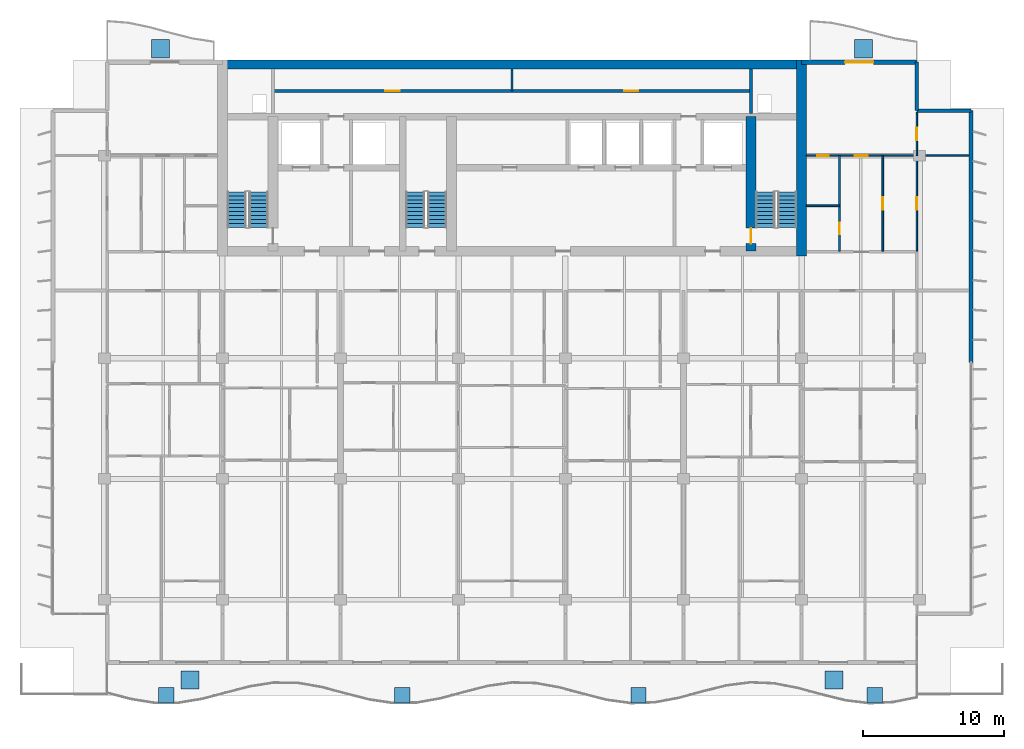
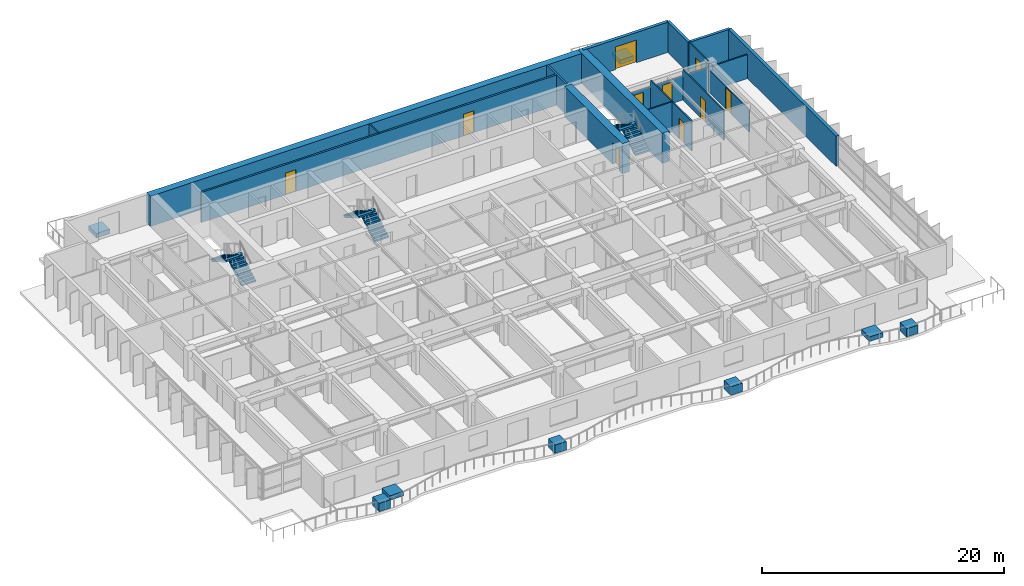
# One storey, part 13 of 17: 16 walls, 10 doors, 8 discrete accessories, 6 stair flights, 10 openings, 3 elements without a shape of their own.
"""IFC4 building model written with IfcOpenShell, lengths in metres."""

from ifc_helpers import new_model, si_unit, direction, frame, frame_2d, origin, origin_2d, place, context, subcontext, project, spatial, polyline, rectangle, outline, extrude, material, layer, layer_set, type_object, element, fill, aggregate, save


model = new_model("IFC4")

# Units and contexts
model_context = context("Model", 3, precision=1e-05, world=origin(), true_north=direction((0.0, 1.0)))
body_context = subcontext(model_context, "Body", "Model", "MODEL_VIEW")
ifc_project = project(units=[si_unit("LENGTHUNIT", "METRE"), si_unit("AREAUNIT", "SQUARE_METRE"), si_unit("VOLUMEUNIT", "CUBIC_METRE"), si_unit("PLANEANGLEUNIT", "RADIAN"), si_unit("MASSUNIT", "GRAM", prefix="KILO")], contexts=[model_context])

# Site, building, storey
site_placement = place(None, origin())
site = spatial("IfcSite", under=ifc_project, at=site_placement, CompositionType="ELEMENT")
building_placement = place(site_placement, origin())
building = spatial("IfcBuilding", under=site, at=building_placement, Name="Caelmar Bay Residences", CompositionType="ELEMENT")
storey_placement = place(building_placement, frame((0.0, 0.0, 157.199951171875)))
storey = spatial("IfcBuildingStorey", under=building, at=storey_placement, Name="L43", CompositionType="ELEMENT", Elevation=157.199951171875)

# Wall
ifc_material_1 = material(Name="Concrete f'c 55 MPa (8,000 psi)", Category="concrete")
ifc_layer_1 = layer(ifc_material_1, 0.699951171875)
ifc_layer_set_1 = layer_set([ifc_layer_1], Name="Concrete f'c 55 MPa (8,000 psi)")
wall_type_1 = type_object("IfcWallType", Name="SW-COR-700", PredefinedType="SHEAR", material=ifc_layer_set_1)
wall_1_placement = place(storey_placement, frame((59.5, 36.64990234375, 0.0), z_axis=(0.0, 0.0, 1.0), x_axis=(0.0, 1.0, 0.0)))
element("IfcWall", 1, at=wall_1_placement, inside=storey, type_object=wall_type_1, Name="L43 Rear Core East Shear Wall", PredefinedType="SHEAR", context=body_context, shape_type="SweptSolid", body=[
    extrude(rectangle(XDim=13.9501953125, YDim=0.699951171875, at=frame_2d((6.97509765625, 0.0))), origin(), (0.0, 0.0, 1.0), 3.050048828125),
])

# Wall, opening, door
wall_2_placement = place(storey_placement, frame((55.89990234375, 37.0, 0.0), z_axis=(0.0, 0.0, 1.0), x_axis=(0.0, 1.0, 0.0)))
wall_2 = element("IfcWall", 2, at=wall_2_placement, inside=storey, type_object=wall_type_1, Name="L43 Core Structural Web Wall ST2W", PredefinedType="SHEAR", context=body_context, shape_type="SweptSolid", body=[
    extrude(rectangle(XDim=9.574951171875, YDim=0.699951171875, at=frame_2d((4.78759765625, 0.0))), origin(), (0.0, 0.0, 1.0), 3.050048828125),
])
opening_1_placement = place(wall_2_placement, frame((0.550048828125, 0.0, 0.0)))
opening_1 = element("IfcOpeningElement", 3, at=opening_1_placement, cuts=wall_2, Name="Opening D-L43-110", PredefinedType="OPENING", context=body_context, shape_type="SweptSolid", body=[
    extrude(rectangle(XDim=1.10009765625, YDim=2.14990234375, at=frame_2d((0.550048828125, 1.074951171875))), frame((0.0, 0.35986328125, 0.0), z_axis=(0.0, -1.0, 0.0), x_axis=(1.0, 0.0, 0.0)), (0.0, 0.0, 1.0), 0.719970703125),
])
ifc_material_2 = material(Name="Fire-rated steel and walnut architectural door assembly", Category="steel")
ifc_layer_2 = layer(ifc_material_2, 0.050048828125)
ifc_layer_set_2 = layer_set([ifc_layer_2], Name="Fire-rated steel and walnut architectural door assembly")
door_type_1 = type_object("IfcDoorType", Name="D-STAIR-1100", OperationType="NOTDEFINED", PredefinedType="DOOR", material=ifc_layer_set_2)
door_1_placement = place(opening_1_placement, origin())
door_1 = element("IfcDoor", 4, at=door_1_placement, inside=storey, type_object=door_type_1, Name="L43 Firefighting Lobby East Door", OperationType="SINGLE_SWING_LEFT", OverallHeight=2.14990234375, OverallWidth=1.10009765625, PredefinedType="DOOR", context=body_context, shape_type="SweptSolid", body=[
    extrude(rectangle(XDim=1.10009765625, YDim=2.14990234375, at=frame_2d((0.550048828125, 1.074951171875))), frame((0.0, 0.02490234375, 0.0), z_axis=(0.0, -1.0, 0.0), x_axis=(1.0, 0.0, 0.0)), (0.0, 0.0, 1.0), 0.050048828125),
])
fill(opening_1, door_1)

# Wall
ifc_layer_3 = layer(ifc_material_1, 0.64990234375)
ifc_layer_set_3 = layer_set([ifc_layer_3], Name="Concrete f'c 55 MPa (8,000 psi)")
wall_type_2 = type_object("IfcWallType", Name="SW-CORN-650", PredefinedType="SHEAR", material=ifc_layer_set_3)
wall_3_placement = place(storey_placement, frame((17.949951171875, 50.27490234375, 0.0), z_axis=(0.0, 0.0, 1.0), x_axis=(1.0, 0.0, 0.0)))
element("IfcWall", 5, at=wall_3_placement, inside=storey, type_object=wall_type_2, Name="L43 Rear Core North Shear Wall", PredefinedType="SHEAR", context=body_context, shape_type="SweptSolid", body=[
    extrude(rectangle(XDim=41.900146484375, YDim=0.64990234375, at=frame_2d((20.9501953125, 0.0))), origin(), (0.0, 0.0, 1.0), 3.050048828125),
])

# Wall, openings, doors
ifc_material_3 = material(Name="Double-stud acoustic fire-rated gypsum partition 180 mm")
ifc_layer_4 = layer(ifc_material_3, 0.179931640625)
ifc_layer_set_4 = layer_set([ifc_layer_4], Name="Double-stud acoustic fire-rated gypsum partition 180 mm")
wall_type_3 = type_object("IfcWallType", Name="W-COR-200", PredefinedType="PARTITIONING", material=ifc_layer_set_4)
wall_4_placement = place(storey_placement, frame((21.89990234375, 48.39990234375, 0.0), z_axis=(0.0, 0.0, 1.0), x_axis=(1.0, 0.0, 0.0)))
wall_4 = element("IfcWall", 6, at=wall_4_placement, inside=storey, type_object=wall_type_3, Name="L43 Partition Wall H129", PredefinedType="PARTITIONING", context=body_context, shape_type="SweptSolid", body=[
    extrude(rectangle(XDim=33.986083984375, YDim=0.179931640625, at=frame_2d((16.9931640625, 0.0))), origin(), (0.0, 0.0, 1.0), 3.050048828125),
])
opening_2_placement = place(wall_4_placement, frame((8.0, 0.0, 0.0)))
opening_2 = element("IfcOpeningElement", 7, at=opening_2_placement, cuts=wall_4, Name="Opening D-L43-117", PredefinedType="OPENING", context=body_context, shape_type="SweptSolid", body=[
    extrude(rectangle(XDim=1.0, YDim=2.199951171875, at=frame_2d((0.5, 1.10009765625))), frame((0.0, 0.099853515625, 0.0), z_axis=(0.0, -1.0, 0.0), x_axis=(1.0, 0.0, 0.0)), (0.0, 0.0, 1.0), 0.199951171875),
])
opening_3_placement = place(wall_4_placement, frame((24.992919921875, 0.0, 0.0)))
opening_3 = element("IfcOpeningElement", 8, at=opening_3_placement, cuts=wall_4, Name="Opening D-L43-118", PredefinedType="OPENING", context=body_context, shape_type="SweptSolid", body=[
    extrude(rectangle(XDim=1.0, YDim=2.199951171875, at=frame_2d((0.5, 1.10009765625))), frame((0.0, 0.099853515625, 0.0), z_axis=(0.0, -1.0, 0.0), x_axis=(1.0, 0.0, 0.0)), (0.0, 0.0, 1.0), 0.199951171875),
])
ifc_layer_5 = layer(ifc_material_2, 0.050048828125)
ifc_layer_set_5 = layer_set([ifc_layer_5], Name="Fire-rated steel and walnut architectural door assembly")
door_type_2 = type_object("IfcDoorType", Name="D-UNIT-1000", OperationType="NOTDEFINED", PredefinedType="DOOR", material=ifc_layer_set_5)
door_2_placement = place(opening_2_placement, origin())
door_2 = element("IfcDoor", 9, at=door_2_placement, inside=storey, type_object=door_type_2, Name="L43 Building Management Office Door", OperationType="SINGLE_SWING_RIGHT", OverallHeight=2.199951171875, OverallWidth=1.0, PredefinedType="DOOR", context=body_context, shape_type="SweptSolid", body=[
    extrude(rectangle(XDim=1.0, YDim=2.199951171875, at=frame_2d((0.5, 1.10009765625))), frame((0.0, 0.02490234375, 0.0), z_axis=(0.0, -1.0, 0.0), x_axis=(1.0, 0.0, 0.0)), (0.0, 0.0, 1.0), 0.050048828125),
])
fill(opening_2, door_2)
door_3_placement = place(opening_3_placement, origin())
door_3 = element("IfcDoor", 10, at=door_3_placement, inside=storey, type_object=door_type_2, Name="L43 Concierge Operations Office Door", OperationType="SINGLE_SWING_LEFT", OverallHeight=2.199951171875, OverallWidth=1.0, PredefinedType="DOOR", context=body_context, shape_type="SweptSolid", body=[
    extrude(rectangle(XDim=1.0, YDim=2.199951171875, at=frame_2d((0.5, 1.10009765625))), frame((0.0, 0.02490234375, 0.0), z_axis=(0.0, -1.0, 0.0), x_axis=(1.0, 0.0, 0.0)), (0.0, 0.0, 1.0), 0.050048828125),
])
fill(opening_3, door_3)

# Walls
ifc_material_4 = material(Name="Precast concrete f'c 40 MPa (6,000 psi)", Category="concrete")
ifc_layer_6 = layer(ifc_material_4, 0.25)
ifc_layer_set_6 = layer_set([ifc_layer_6], Name="Precast concrete f'c 40 MPa (6,000 psi)")
wall_type_4 = type_object("IfcWallType", Name="W-EXT-250", PredefinedType="ELEMENTEDWALL", material=ifc_layer_set_6)
wall_5_placement = place(storey_placement, frame((67.699951171875, 50.449951171875, 0.0), z_axis=(0.0, 0.0, 1.0), x_axis=(0.0, -1.0, 0.0)))
element("IfcWall", 11, at=wall_5_placement, inside=storey, type_object=wall_type_4, Name="L43 NNE-V Notch Wall", PredefinedType="ELEMENTEDWALL", context=body_context, shape_type="SweptSolid", body=[
    extrude(rectangle(XDim=3.449951171875, YDim=0.25, at=frame_2d((1.72509765625, 0.0))), origin(), (0.0, 0.0, 1.0), 3.050048828125),
])
wall_6_placement = place(storey_placement, frame((67.699951171875, 47.0, 0.0), z_axis=(0.0, 0.0, 1.0), x_axis=(1.0, 0.0, 0.0)))
element("IfcWall", 12, at=wall_6_placement, inside=storey, type_object=wall_type_4, Name="L43 NNE-H Notch Wall", PredefinedType="ELEMENTEDWALL", context=body_context, shape_type="SweptSolid", body=[
    extrude(rectangle(XDim=3.85009765625, YDim=0.25, at=frame_2d((1.925048828125, 0.0))), origin(), (0.0, 0.0, 1.0), 3.050048828125),
])
ifc_layer_7 = layer(ifc_material_4, 0.300048828125)
ifc_layer_set_7 = layer_set([ifc_layer_7], Name="Precast concrete f'c 40 MPa (6,000 psi)")
wall_type_5 = type_object("IfcWallType", Name="W-EXT-300", PredefinedType="STANDARD", material=ifc_layer_set_7)
wall_7_placement = place(storey_placement, frame((71.550048828125, 47.0, 0.0), z_axis=(0.0, 0.0, 1.0), x_axis=(0.0, -1.0, 0.0)))
element("IfcWall", 13, at=wall_7_placement, inside=storey, type_object=wall_type_5, Name="L43 East Rear Exterior Wall", PredefinedType="STANDARD", context=body_context, shape_type="SweptSolid", body=[
    extrude(rectangle(XDim=17.89990234375, YDim=0.300048828125, at=frame_2d((8.949951171875, 0.0))), origin(), (0.0, 0.0, 1.0), 3.050048828125),
])

# Wall, opening, door
wall_8_placement = place(storey_placement, frame((59.5, 50.449951171875, 0.0), z_axis=(0.0, 0.0, 1.0), x_axis=(1.0, 0.0, 0.0)))
wall_8 = element("IfcWall", 14, at=wall_8_placement, inside=storey, type_object=wall_type_5, Name="L43 North-East Wing Exterior Wall", PredefinedType="STANDARD", context=body_context, shape_type="SweptSolid", body=[
    extrude(rectangle(XDim=8.199951171875, YDim=0.300048828125, at=frame_2d((4.10009765625, 0.0))), origin(), (0.0, 0.0, 1.0), 3.050048828125),
])
opening_4_placement = place(wall_8_placement, frame((3.10009765625, 0.0, 0.0)))
opening_4 = element("IfcOpeningElement", 15, at=opening_4_placement, cuts=wall_8, Name="Opening L43-BDNE", PredefinedType="OPENING", context=body_context, shape_type="SweptSolid", body=[
    extrude(rectangle(XDim=2.0, YDim=2.300048828125, at=frame_2d((1.0, 1.14990234375))), frame((0.0, 0.159912109375, 0.0), z_axis=(0.0, -1.0, 0.0), x_axis=(1.0, 0.0, 0.0)), (0.0, 0.0, 1.0), 0.320068359375),
])
ifc_material_5 = material(Name="Anodised bronze thermally broken sliding glass door", Category="glass")
ifc_layer_8 = layer(ifc_material_5, 0.050048828125)
ifc_layer_set_8 = layer_set([ifc_layer_8], Name="Anodised bronze thermally broken sliding glass door")
door_type_3 = type_object("IfcDoorType", Name="D-BAL-2000", OperationType="DOUBLE_DOOR_SLIDING", PredefinedType="DOOR", material=ifc_layer_set_8)
door_4_placement = place(opening_4_placement, origin())
door_4 = element("IfcDoor", 16, at=door_4_placement, inside=storey, type_object=door_type_3, Name="L43 North-East Balcony Door", OperationType="DOUBLE_DOOR_SLIDING", OverallHeight=2.300048828125, OverallWidth=2.0, PredefinedType="DOOR", context=body_context, shape_type="SweptSolid", body=[
    extrude(rectangle(XDim=2.0, YDim=2.300048828125, at=frame_2d((1.0, 1.14990234375))), frame((0.0, 0.02490234375, 0.0), z_axis=(0.0, -1.0, 0.0), x_axis=(1.0, 0.0, 0.0)), (0.0, 0.0, 1.0), 0.050048828125),
])
fill(opening_4, door_4)

# Wall
ifc_material_6 = material(Name="Fire-rated masonry and gypsum shaftliner assembly 200 mm", Category="masonry")
ifc_layer_9 = layer(ifc_material_6, 0.199951171875)
ifc_layer_set_9 = layer_set([ifc_layer_9], Name="Fire-rated masonry and gypsum shaftliner assembly 200 mm")
wall_type_6 = type_object("IfcWallType", Name="W-FSAE-200", PredefinedType="PARTITIONING", material=ifc_layer_set_9)
wall_9_placement = place(storey_placement, frame((55.89990234375, 46.794921875, 0.0), z_axis=(0.0, 0.0, 1.0), x_axis=(0.0, 1.0, 0.0)))
element("IfcWall", 17, at=wall_9_placement, inside=storey, type_object=wall_type_6, Name="L43 Partition Wall V073", PredefinedType="PARTITIONING", context=body_context, shape_type="SweptSolid", body=[
    extrude(rectangle(XDim=3.16015625, YDim=0.199951171875, at=frame_2d((1.580078125, 0.0))), origin(), (0.0, 0.0, 1.0), 3.050048828125),
])

# Wall, opening, door
ifc_material_7 = material(Name="Anodised bronze framed acoustic sliding study partition 100 mm")
ifc_layer_10 = layer(ifc_material_7, 0.10009765625)
ifc_layer_set_10 = layer_set([ifc_layer_10], Name="Anodised bronze framed acoustic sliding study partition 100 mm")
wall_type_7 = type_object("IfcWallType", Name="W-MOV-100", PredefinedType="MOVABLE", material=ifc_layer_set_10)
wall_10_placement = place(storey_placement, frame((67.699951171875, 37.0, 0.0), z_axis=(0.0, 0.0, 1.0), x_axis=(0.0, 1.0, 0.0)))
wall_10 = element("IfcWall", 18, at=wall_10_placement, inside=storey, type_object=wall_type_7, Name="L43 Partition Wall V095", PredefinedType="MOVABLE", context=body_context, shape_type="SweptSolid", body=[
    extrude(rectangle(XDim=6.800048828125, YDim=0.10009765625, at=frame_2d((3.39990234375, 0.0))), origin(), (0.0, 0.0, 1.0), 2.262939453125),
])
opening_5_placement = place(wall_10_placement, frame((2.949951171875, 0.0, 0.0)))
opening_5 = element("IfcOpeningElement", 19, at=opening_5_placement, cuts=wall_10, Name="Opening D-L43-175", PredefinedType="OPENING", context=body_context, shape_type="SweptSolid", body=[
    extrude(rectangle(XDim=0.89990234375, YDim=2.14990234375, at=frame_2d((0.449951171875, 1.074951171875))), frame((0.0, 0.06005859375, 0.0), z_axis=(0.0, -1.0, 0.0), x_axis=(1.0, 0.0, 0.0)), (0.0, 0.0, 1.0), 0.1201171875),
])
ifc_material_8 = material(Name="Solid walnut timber interior door leaf and frame", Category="wood")
ifc_layer_11 = layer(ifc_material_8, 0.050048828125)
ifc_layer_set_11 = layer_set([ifc_layer_11], Name="Solid walnut timber interior door leaf and frame")
door_type_4 = type_object("IfcDoorType", Name="D-ROOM-900", OperationType="NOTDEFINED", PredefinedType="DOOR", material=ifc_layer_set_11)
door_5_placement = place(opening_5_placement, origin())
door_5 = element("IfcDoor", 20, at=door_5_placement, inside=storey, type_object=door_type_4, Name="L43 Residence EA Sun Study Door", OperationType="SINGLE_SWING_RIGHT", OverallHeight=2.14990234375, OverallWidth=0.89990234375, PredefinedType="DOOR", context=body_context, shape_type="SweptSolid", body=[
    extrude(rectangle(XDim=0.89990234375, YDim=2.14990234375, at=frame_2d((0.449951171875, 1.074951171875))), frame((0.0, 0.02490234375, 0.0), z_axis=(0.0, -1.0, 0.0), x_axis=(1.0, 0.0, 0.0)), (0.0, 0.0, 1.0), 0.050048828125),
])
fill(opening_5, door_5)

# Wall
ifc_material_9 = material(Name="Acoustic metal-stud gypsum partition 120 mm")
ifc_layer_12 = layer(ifc_material_9, 0.1201171875)
ifc_layer_set_12 = layer_set([ifc_layer_12], Name="Acoustic metal-stud gypsum partition 120 mm")
wall_type_8 = type_object("IfcWallType", Name="W-PRT-120", PredefinedType="PARTITIONING", material=ifc_layer_set_12)
wall_11_placement = place(storey_placement, frame((38.89990234375, 48.39990234375, 0.0), z_axis=(0.0, 0.0, 1.0), x_axis=(0.0, 1.0, 0.0)))
element("IfcWall", 21, at=wall_11_placement, inside=storey, type_object=wall_type_8, Name="L43 Partition Wall V045", PredefinedType="PARTITIONING", context=body_context, shape_type="SweptSolid", body=[
    extrude(rectangle(XDim=1.55517578125, YDim=0.1201171875, at=frame_2d((0.777587890625, 0.0))), origin(), (0.0, 0.0, 1.0), 3.050048828125),
])

# Wall, opening, door
wall_12_placement = place(storey_placement, frame((62.199951171875, 37.0, 0.0), z_axis=(0.0, 0.0, 1.0), x_axis=(0.0, 1.0, 0.0)))
wall_12 = element("IfcWall", 22, at=wall_12_placement, inside=storey, type_object=wall_type_8, Name="L43 Partition Wall V081", PredefinedType="PARTITIONING", context=body_context, shape_type="SweptSolid", body=[
    extrude(rectangle(XDim=6.800048828125, YDim=0.1201171875, at=frame_2d((3.39990234375, 0.0))), origin(), (0.0, 0.0, 1.0), 3.050048828125),
])
opening_6_placement = place(wall_12_placement, frame((1.194091796875, 0.0, 0.0)))
opening_6 = element("IfcOpeningElement", 23, at=opening_6_placement, cuts=wall_12, Name="Opening D-L43-173", PredefinedType="OPENING", context=body_context, shape_type="SweptSolid", body=[
    extrude(rectangle(XDim=0.85009765625, YDim=2.10009765625, at=frame_2d((0.425048828125, 1.050048828125))), frame((0.0, 0.070068359375, 0.0), z_axis=(0.0, -1.0, 0.0), x_axis=(1.0, 0.0, 0.0)), (0.0, 0.0, 1.0), 0.14013671875),
])
ifc_layer_13 = layer(ifc_material_8, 0.050048828125)
ifc_layer_set_13 = layer_set([ifc_layer_13], Name="Solid walnut timber interior door leaf and frame")
door_type_5 = type_object("IfcDoorType", Name="D-BATH-850", OperationType="NOTDEFINED", PredefinedType="DOOR", material=ifc_layer_set_13)
door_6_placement = place(opening_6_placement, origin())
door_6 = element("IfcDoor", 24, at=door_6_placement, inside=storey, type_object=door_type_5, Name="L43 Residence EA Walk-In Closet Door", OperationType="SINGLE_SWING_RIGHT", OverallHeight=2.10009765625, OverallWidth=0.85009765625, PredefinedType="DOOR", context=body_context, shape_type="SweptSolid", body=[
    extrude(rectangle(XDim=0.85009765625, YDim=2.10009765625, at=frame_2d((0.425048828125, 1.050048828125))), frame((0.0, 0.02490234375, 0.0), z_axis=(0.0, -1.0, 0.0), x_axis=(1.0, 0.0, 0.0)), (0.0, 0.0, 1.0), 0.050048828125),
])
fill(opening_6, door_6)

wall_13_placement = place(storey_placement, frame((65.280029296875, 37.0, 0.0), z_axis=(0.0, 0.0, 1.0), x_axis=(0.0, 1.0, 0.0)))
wall_13 = element("IfcWall", 25, at=wall_13_placement, inside=storey, type_object=wall_type_8, Name="L43 Partition Wall V086", PredefinedType="PARTITIONING", context=body_context, shape_type="SweptSolid", body=[
    extrude(rectangle(XDim=6.800048828125, YDim=0.1201171875, at=frame_2d((3.39990234375, 0.0))), origin(), (0.0, 0.0, 1.0), 3.050048828125),
])
opening_7_placement = place(wall_13_placement, frame((2.949951171875, 0.0, 0.0)))
opening_7 = element("IfcOpeningElement", 26, at=opening_7_placement, cuts=wall_13, Name="Opening D-L43-170", PredefinedType="OPENING", context=body_context, shape_type="SweptSolid", body=[
    extrude(rectangle(XDim=0.89990234375, YDim=2.14990234375, at=frame_2d((0.449951171875, 1.074951171875))), frame((0.0, 0.070068359375, 0.0), z_axis=(0.0, -1.0, 0.0), x_axis=(1.0, 0.0, 0.0)), (0.0, 0.0, 1.0), 0.14013671875),
])
door_7_placement = place(opening_7_placement, origin())
door_7 = element("IfcDoor", 27, at=door_7_placement, inside=storey, type_object=door_type_4, Name="L43 Residence EA Dining Room Door", OperationType="SINGLE_SWING_LEFT", OverallHeight=2.14990234375, OverallWidth=0.89990234375, PredefinedType="DOOR", context=body_context, shape_type="SweptSolid", body=[
    extrude(rectangle(XDim=0.89990234375, YDim=2.14990234375, at=frame_2d((0.449951171875, 1.074951171875))), frame((0.0, 0.02490234375, 0.0), z_axis=(0.0, -1.0, 0.0), x_axis=(1.0, 0.0, 0.0)), (0.0, 0.0, 1.0), 0.050048828125),
])
fill(opening_7, door_7)

wall_14_placement = place(storey_placement, frame((67.699951171875, 43.804931640625, 0.0), z_axis=(0.0, 0.0, 1.0), x_axis=(0.0, 1.0, 0.0)))
wall_14 = element("IfcWall", 28, at=wall_14_placement, inside=storey, type_object=wall_type_8, Name="L43 Partition Wall V096", PredefinedType="PARTITIONING", context=body_context, shape_type="SweptSolid", body=[
    extrude(rectangle(XDim=3.074951171875, YDim=0.1201171875, at=frame_2d((1.53759765625, 0.0))), origin(), (0.0, 0.0, 1.0), 3.050048828125),
])
opening_8_placement = place(wall_14_placement, frame((1.08740234375, 0.0, 0.0)))
opening_8 = element("IfcOpeningElement", 29, at=opening_8_placement, cuts=wall_14, Name="Opening D-L43-176", PredefinedType="OPENING", context=body_context, shape_type="SweptSolid", body=[
    extrude(rectangle(XDim=0.89990234375, YDim=2.14990234375, at=frame_2d((0.449951171875, 1.074951171875))), frame((0.0, 0.070068359375, 0.0), z_axis=(0.0, -1.0, 0.0), x_axis=(1.0, 0.0, 0.0)), (0.0, 0.0, 1.0), 0.14013671875),
])
door_8_placement = place(opening_8_placement, origin())
door_8 = element("IfcDoor", 30, at=door_8_placement, inside=storey, type_object=door_type_4, Name="L43 Residence EA North Sitting Alcove Door", OperationType="SINGLE_SWING_LEFT", OverallHeight=2.14990234375, OverallWidth=0.89990234375, PredefinedType="DOOR", context=body_context, shape_type="SweptSolid", body=[
    extrude(rectangle(XDim=0.89990234375, YDim=2.14990234375, at=frame_2d((0.449951171875, 1.074951171875))), frame((0.0, 0.02490234375, 0.0), z_axis=(0.0, -1.0, 0.0), x_axis=(1.0, 0.0, 0.0)), (0.0, 0.0, 1.0), 0.050048828125),
])
fill(opening_8, door_8)

# Wall
wall_15_placement = place(storey_placement, frame((59.844970703125, 40.238037109375, 0.0), z_axis=(0.0, 0.0, 1.0), x_axis=(1.0, 0.0, 0.0)))
element("IfcWall", 31, at=wall_15_placement, inside=storey, type_object=wall_type_8, Name="L43 Partition Wall H126", PredefinedType="PARTITIONING", context=body_context, shape_type="SweptSolid", body=[
    extrude(rectangle(XDim=2.35498046875, YDim=0.1201171875, at=frame_2d((1.177490234375, 0.0))), origin(), (0.0, 0.0, 1.0), 3.050048828125),
])

# Wall, openings, doors
wall_16_placement = place(storey_placement, frame((59.844970703125, 43.800048828125, 0.0), z_axis=(0.0, 0.0, 1.0), x_axis=(1.0, 0.0, 0.0)))
wall_16 = element("IfcWall", 32, at=wall_16_placement, inside=storey, type_object=wall_type_8, Name="L43 Partition Wall H128", PredefinedType="PARTITIONING", context=body_context, shape_type="SweptSolid", body=[
    extrude(rectangle(XDim=11.56005859375, YDim=0.1201171875, at=frame_2d((5.780029296875, 0.0))), origin(), (0.0, 0.0, 1.0), 2.41796875),
])
opening_9_placement = place(wall_16_placement, frame((3.445068359375, 0.0, 0.0)))
opening_9 = element("IfcOpeningElement", 33, at=opening_9_placement, cuts=wall_16, Name="Opening D-L43-172", PredefinedType="OPENING", context=body_context, shape_type="SweptSolid", body=[
    extrude(rectangle(XDim=0.89990234375, YDim=2.14990234375, at=frame_2d((0.449951171875, 1.074951171875))), frame((0.0, 0.070068359375, 0.0), z_axis=(0.0, -1.0, 0.0), x_axis=(1.0, 0.0, 0.0)), (0.0, 0.0, 1.0), 0.14013671875),
])
opening_10_placement = place(wall_16_placement, frame((0.75244140625, 0.0, 0.0)))
opening_10 = element("IfcOpeningElement", 34, at=opening_10_placement, cuts=wall_16, Name="Opening D-L43-174", PredefinedType="OPENING", context=body_context, shape_type="SweptSolid", body=[
    extrude(rectangle(XDim=0.85009765625, YDim=2.10009765625, at=frame_2d((0.425048828125, 1.050048828125))), frame((0.0, 0.070068359375, 0.0), z_axis=(0.0, -1.0, 0.0), x_axis=(1.0, 0.0, 0.0)), (0.0, 0.0, 1.0), 0.14013671875),
])
door_9_placement = place(opening_10_placement, origin())
door_9 = element("IfcDoor", 35, at=door_9_placement, inside=storey, type_object=door_type_5, Name="L43 Residence EA Bathroom Door", OperationType="SINGLE_SWING_LEFT", OverallHeight=2.10009765625, OverallWidth=0.85009765625, PredefinedType="DOOR", context=body_context, shape_type="SweptSolid", body=[
    extrude(rectangle(XDim=0.85009765625, YDim=2.10009765625, at=frame_2d((0.425048828125, 1.050048828125))), frame((0.0, 0.02490234375, 0.0), z_axis=(0.0, -1.0, 0.0), x_axis=(1.0, 0.0, 0.0)), (0.0, 0.0, 1.0), 0.050048828125),
])
fill(opening_10, door_9)
door_10_placement = place(opening_9_placement, origin())
door_10 = element("IfcDoor", 36, at=door_10_placement, inside=storey, type_object=door_type_4, Name="L43 Residence EA Studio Living and Sleeping Room Door", OperationType="SINGLE_SWING_LEFT", OverallHeight=2.14990234375, OverallWidth=0.89990234375, PredefinedType="DOOR", context=body_context, shape_type="SweptSolid", body=[
    extrude(rectangle(XDim=0.89990234375, YDim=2.14990234375, at=frame_2d((0.449951171875, 1.074951171875))), frame((0.0, 0.02490234375, 0.0), z_axis=(0.0, -1.0, 0.0), x_axis=(1.0, 0.0, 0.0)), (0.0, 0.0, 1.0), 0.050048828125),
])
fill(opening_9, door_10)

# Stair, stair flights
ifc_material_10 = material(Name="Concrete f'c 40 MPa (6,000 psi)", Category="concrete")
stair_type = type_object("IfcStairType", Name="ST-TYP-165", PredefinedType="HALF_TURN_STAIR", material=ifc_material_10)
stair_1_placement = place(storey_placement, origin())
stair_1 = element("IfcStair", 37, at=stair_1_placement, inside=storey, type_object=stair_type, Name="L43 West Smokeproof Exit Stair ST1", PredefinedType="HALF_TURN_STAIR")
stair_flight_type = type_object("IfcStairFlightType", Name="STF-1350", PredefinedType="STRAIGHT", material=ifc_material_10)
stair_flight_1_placement = place(storey_placement, frame((20.875, 38.699951171875, 0.0), z_axis=(0.0, 0.0, 1.0), x_axis=(0.0, 1.0, 0.0)))
stair_flight_1 = element("IfcStairFlight", 38, at=stair_flight_1_placement, type_object=stair_flight_type, Name="ST1 flight 1", NumberOfRisers=10, NumberOfTreads=9, PredefinedType="STRAIGHT", RiserHeight=0.165, TreadLength=0.28, context=body_context, shape_type="SweptSolid", body=[
    extrude(outline(polyline([(0.0, 0.0), (0.0, 0.1650390625), (0.280029296875, 0.1650390625), (0.280029296875, 0.330078125), (0.56005859375, 0.330078125), (0.56005859375, 0.4951171875), (0.840087890625, 0.4951171875), (0.840087890625, 0.659912109375), (1.1201171875, 0.659912109375), (1.1201171875, 0.824951171875), (1.39990234375, 0.824951171875), (1.39990234375, 0.989990234375), (1.679931640625, 0.989990234375), (1.679931640625, 1.155029296875), (1.9599609375, 1.155029296875), (1.9599609375, 1.320068359375), (2.239990234375, 1.320068359375), (2.239990234375, 1.485107421875), (2.52001953125, 1.485107421875), (2.52001953125, 1.64990234375), (2.52001953125, 1.31103515625), (0.295166015625, 0.0), (0.0, 0.0)])), frame((0.0, 0.675048828125, 0.0), z_axis=(0.0, -1.0, 0.0), x_axis=(1.0, 0.0, 0.0)), (0.0, 0.0, 1.0), 1.35009765625),
])
stair_flight_2_placement = place(storey_placement, frame((19.324951171875, 41.219970703125, 1.650146484375), z_axis=(0.0, 0.0, 1.0), x_axis=(0.0, -1.0, 0.0)))
stair_flight_2 = element("IfcStairFlight", 39, at=stair_flight_2_placement, type_object=stair_flight_type, Name="ST1 flight 2", NumberOfRisers=10, NumberOfTreads=9, PredefinedType="STRAIGHT", RiserHeight=0.165, TreadLength=0.28, context=body_context, shape_type="SweptSolid", body=[
    extrude(outline(polyline([(0.0, 0.0), (0.0, 0.1650390625), (0.280029296875, 0.1650390625), (0.280029296875, 0.330078125), (0.56005859375, 0.330078125), (0.56005859375, 0.4951171875), (0.840087890625, 0.4951171875), (0.840087890625, 0.659912109375), (1.1201171875, 0.659912109375), (1.1201171875, 0.824951171875), (1.39990234375, 0.824951171875), (1.39990234375, 0.989990234375), (1.679931640625, 0.989990234375), (1.679931640625, 1.155029296875), (1.9599609375, 1.155029296875), (1.9599609375, 1.320068359375), (2.239990234375, 1.320068359375), (2.239990234375, 1.485107421875), (2.52001953125, 1.485107421875), (2.52001953125, 1.64990234375), (2.52001953125, 1.31103515625), (0.295166015625, 0.0), (0.0, 0.0)])), frame((0.0, 0.675048828125, 0.0), z_axis=(0.0, -1.0, 0.0), x_axis=(1.0, 0.0, 0.0)), (0.0, 0.0, 1.0), 1.35009765625),
])
aggregate(stair_1, [stair_flight_1, stair_flight_2])

stair_2_placement = place(storey_placement, origin())
stair_2 = element("IfcStair", 40, at=stair_2_placement, inside=storey, type_object=stair_type, Name="L43 East Smokeproof Exit Stair ST2", PredefinedType="HALF_TURN_STAIR")
stair_flight_3_placement = place(storey_placement, frame((58.47509765625, 38.699951171875, 0.0), z_axis=(0.0, 0.0, 1.0), x_axis=(0.0, 1.0, 0.0)))
stair_flight_3 = element("IfcStairFlight", 41, at=stair_flight_3_placement, type_object=stair_flight_type, Name="ST2 flight 1", NumberOfRisers=10, NumberOfTreads=9, PredefinedType="STRAIGHT", RiserHeight=0.165, TreadLength=0.28, context=body_context, shape_type="SweptSolid", body=[
    extrude(outline(polyline([(0.0, 0.0), (0.0, 0.1650390625), (0.280029296875, 0.1650390625), (0.280029296875, 0.330078125), (0.56005859375, 0.330078125), (0.56005859375, 0.4951171875), (0.840087890625, 0.4951171875), (0.840087890625, 0.659912109375), (1.1201171875, 0.659912109375), (1.1201171875, 0.824951171875), (1.39990234375, 0.824951171875), (1.39990234375, 0.989990234375), (1.679931640625, 0.989990234375), (1.679931640625, 1.155029296875), (1.9599609375, 1.155029296875), (1.9599609375, 1.320068359375), (2.239990234375, 1.320068359375), (2.239990234375, 1.485107421875), (2.52001953125, 1.485107421875), (2.52001953125, 1.64990234375), (2.52001953125, 1.31103515625), (0.295166015625, 0.0), (0.0, 0.0)])), frame((0.0, 0.675048828125, 0.0), z_axis=(0.0, -1.0, 0.0), x_axis=(1.0, 0.0, 0.0)), (0.0, 0.0, 1.0), 1.35009765625),
])
stair_flight_4_placement = place(storey_placement, frame((56.925048828125, 41.219970703125, 1.650146484375), z_axis=(0.0, 0.0, 1.0), x_axis=(0.0, -1.0, 0.0)))
stair_flight_4 = element("IfcStairFlight", 42, at=stair_flight_4_placement, type_object=stair_flight_type, Name="ST2 flight 2", NumberOfRisers=10, NumberOfTreads=9, PredefinedType="STRAIGHT", RiserHeight=0.165, TreadLength=0.28, context=body_context, shape_type="SweptSolid", body=[
    extrude(outline(polyline([(0.0, 0.0), (0.0, 0.1650390625), (0.280029296875, 0.1650390625), (0.280029296875, 0.330078125), (0.56005859375, 0.330078125), (0.56005859375, 0.4951171875), (0.840087890625, 0.4951171875), (0.840087890625, 0.659912109375), (1.1201171875, 0.659912109375), (1.1201171875, 0.824951171875), (1.39990234375, 0.824951171875), (1.39990234375, 0.989990234375), (1.679931640625, 0.989990234375), (1.679931640625, 1.155029296875), (1.9599609375, 1.155029296875), (1.9599609375, 1.320068359375), (2.239990234375, 1.320068359375), (2.239990234375, 1.485107421875), (2.52001953125, 1.485107421875), (2.52001953125, 1.64990234375), (2.52001953125, 1.31103515625), (0.295166015625, 0.0), (0.0, 0.0)])), frame((0.0, 0.675048828125, 0.0), z_axis=(0.0, -1.0, 0.0), x_axis=(1.0, 0.0, 0.0)), (0.0, 0.0, 1.0), 1.35009765625),
])
aggregate(stair_2, [stair_flight_3, stair_flight_4])

stair_3_placement = place(storey_placement, origin())
stair_3 = element("IfcStair", 43, at=stair_3_placement, inside=storey, type_object=stair_type, Name="L43 Central Smokeproof Exit Stair ST3", PredefinedType="HALF_TURN_STAIR")
stair_flight_5_placement = place(storey_placement, frame((33.574951171875, 38.699951171875, 0.0), z_axis=(0.0, 0.0, 1.0), x_axis=(0.0, 1.0, 0.0)))
stair_flight_5 = element("IfcStairFlight", 44, at=stair_flight_5_placement, type_object=stair_flight_type, Name="ST3 flight 1", NumberOfRisers=10, NumberOfTreads=9, PredefinedType="STRAIGHT", RiserHeight=0.165, TreadLength=0.28, context=body_context, shape_type="SweptSolid", body=[
    extrude(outline(polyline([(0.0, 0.0), (0.0, 0.1650390625), (0.280029296875, 0.1650390625), (0.280029296875, 0.330078125), (0.56005859375, 0.330078125), (0.56005859375, 0.4951171875), (0.840087890625, 0.4951171875), (0.840087890625, 0.659912109375), (1.1201171875, 0.659912109375), (1.1201171875, 0.824951171875), (1.39990234375, 0.824951171875), (1.39990234375, 0.989990234375), (1.679931640625, 0.989990234375), (1.679931640625, 1.155029296875), (1.9599609375, 1.155029296875), (1.9599609375, 1.320068359375), (2.239990234375, 1.320068359375), (2.239990234375, 1.485107421875), (2.52001953125, 1.485107421875), (2.52001953125, 1.64990234375), (2.52001953125, 1.31103515625), (0.295166015625, 0.0), (0.0, 0.0)])), frame((0.0, 0.675048828125, 0.0), z_axis=(0.0, -1.0, 0.0), x_axis=(1.0, 0.0, 0.0)), (0.0, 0.0, 1.0), 1.35009765625),
])
stair_flight_6_placement = place(storey_placement, frame((32.02490234375, 41.219970703125, 1.650146484375), z_axis=(0.0, 0.0, 1.0), x_axis=(0.0, -1.0, 0.0)))
stair_flight_6 = element("IfcStairFlight", 45, at=stair_flight_6_placement, type_object=stair_flight_type, Name="ST3 flight 2", NumberOfRisers=10, NumberOfTreads=9, PredefinedType="STRAIGHT", RiserHeight=0.165, TreadLength=0.28, context=body_context, shape_type="SweptSolid", body=[
    extrude(outline(polyline([(0.0, 0.0), (0.0, 0.1650390625), (0.280029296875, 0.1650390625), (0.280029296875, 0.330078125), (0.56005859375, 0.330078125), (0.56005859375, 0.4951171875), (0.840087890625, 0.4951171875), (0.840087890625, 0.659912109375), (1.1201171875, 0.659912109375), (1.1201171875, 0.824951171875), (1.39990234375, 0.824951171875), (1.39990234375, 0.989990234375), (1.679931640625, 0.989990234375), (1.679931640625, 1.155029296875), (1.9599609375, 1.155029296875), (1.9599609375, 1.320068359375), (2.239990234375, 1.320068359375), (2.239990234375, 1.485107421875), (2.52001953125, 1.485107421875), (2.52001953125, 1.64990234375), (2.52001953125, 1.31103515625), (0.295166015625, 0.0), (0.0, 0.0)])), frame((0.0, 0.675048828125, 0.0), z_axis=(0.0, -1.0, 0.0), x_axis=(1.0, 0.0, 0.0)), (0.0, 0.0, 1.0), 1.35009765625),
])
aggregate(stair_3, [stair_flight_5, stair_flight_6])

# Discrete accessories
ifc_material_11 = material(Name="Architectural bronze GRC planter trough with volcanic-lapilli substrate")
discrete_accessory_type_1 = type_object("IfcDiscreteAccessoryType", Name="ACC-PLANTER-1100", PredefinedType="USERDEFINED", material=ifc_material_11)
for number, where, z_axis, x_axis, name in (
    (46, (14.300048828125, 5.39990234375, 0.0), (0.0, 0.0, 1.0), (1.0, 0.0, 0.0), "L43 Balcony Structural Tree Planter 1"),
    (47, (31.10009765625, 5.39990234375, 0.0), (0.0, 0.0, 1.0), (1.0, 0.0, 0.0), "L43 Balcony Structural Tree Planter 2"),
    (48, (47.89990234375, 5.39990234375, 0.0), (0.0, 0.0, 1.0), (1.0, 0.0, 0.0), "L43 Balcony Structural Tree Planter 3"),
    (49, (64.699951171875, 5.39990234375, 0.0), (0.0, 0.0, 1.0), (1.0, 0.0, 0.0), "L43 Balcony Structural Tree Planter 4"),
):
    element("IfcDiscreteAccessory", number, at=place(storey_placement, frame(where, z_axis=z_axis, x_axis=x_axis)), inside=storey, type_object=discrete_accessory_type_1, Name=name, ObjectType="PLANTER", PredefinedType="USERDEFINED", context=body_context, shape_type="SweptSolid", body=[
        extrude(rectangle(XDim=1.10009765625, YDim=1.10009765625, at=origin_2d()), origin(), (0.0, 0.0, 1.0), 0.85009765625),
    ])
discrete_accessory_type_2 = type_object("IfcDiscreteAccessoryType", Name="STR-PLANTER-KERB-450", PredefinedType="USERDEFINED", material=ifc_material_4)
for number, where, z_axis, x_axis, name in (
    (50, (13.89990234375, 51.39990234375, 0.0), (0.0, 0.0, 1.0), (1.0, 0.0, 0.0), "L43 north_west Structural Tree Planter Kerb"),
    (51, (63.89990234375, 51.39990234375, 0.0), (0.0, 0.0, 1.0), (1.0, 0.0, 0.0), "L43 north_east Structural Tree Planter Kerb"),
    (52, (16.0, 6.5, 0.0), (0.0, 0.0, 1.0), (1.0, 0.0, 0.0), "L43 Sky-Terrace Structural Tree Planter Kerb 1"),
    (53, (61.800048828125, 6.5, 0.0), (0.0, 0.0, 1.0), (1.0, 0.0, 0.0), "L43 Sky-Terrace Structural Tree Planter Kerb 2"),
):
    element("IfcDiscreteAccessory", number, at=place(storey_placement, frame(where, z_axis=z_axis, x_axis=x_axis)), inside=storey, type_object=discrete_accessory_type_2, Name=name, ObjectType="PLANTER", PredefinedType="USERDEFINED", context=body_context, shape_type="SweptSolid", body=[
        extrude(rectangle(XDim=1.300048828125, YDim=1.300048828125, at=origin_2d()), origin(), (0.0, 0.0, 1.0), 0.449951171875),
    ])

save(model, "model.ifc")
